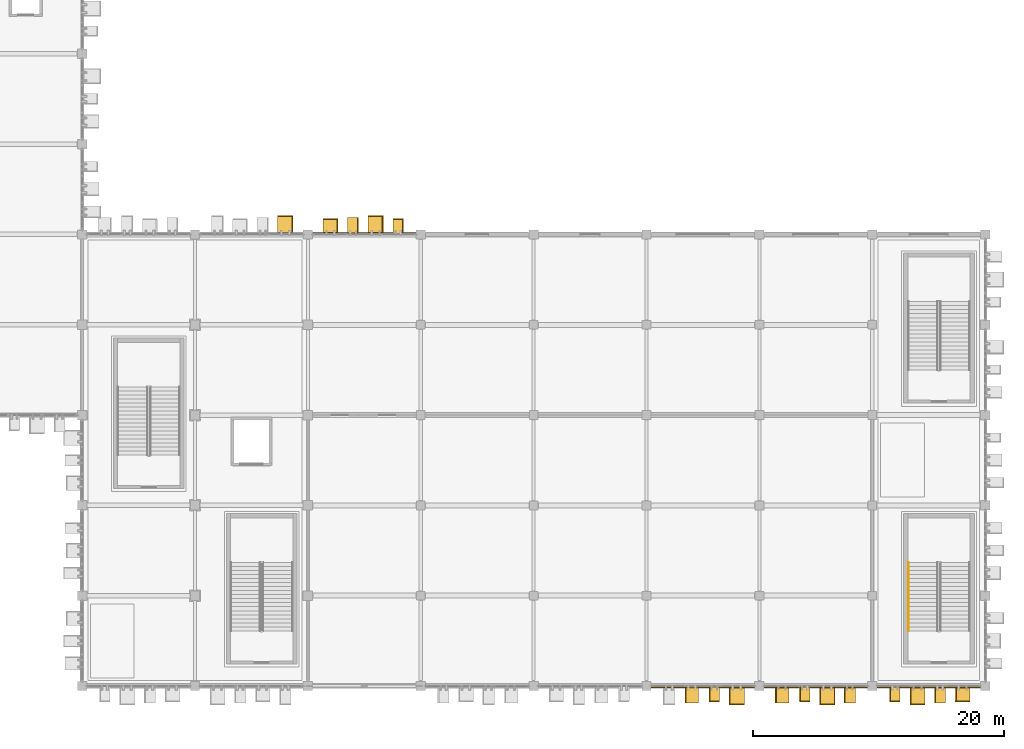
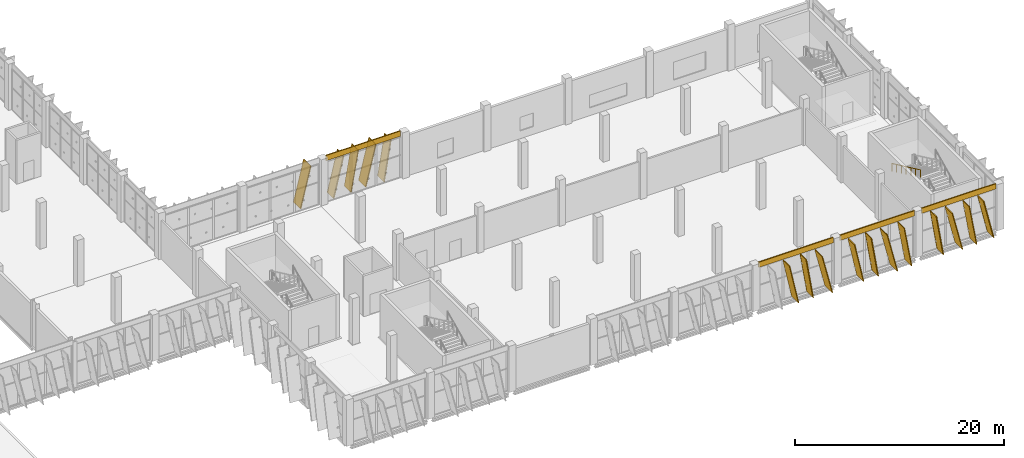
# One storey, part 170 of 189: 20 coverings, 16 shading devices, 1 railing.
"""IFC4 building model written with IfcOpenShell, lengths in metres."""

from ifc_helpers import new_model, si_unit, direction, frame, origin, origin_2d, place, context, subcontext, project, spatial, rectangle, circle, extrude, material, layer, layer_set, material_profile, profile_set, type_object, element, save


model = new_model("IFC4")

# Units and contexts
model_context = context("Model", 3, precision=1e-05, world=origin(), true_north=direction((0.0, 1.0)))
body_context = subcontext(model_context, "Body", "Model", "MODEL_VIEW")
ifc_project = project(units=[si_unit("LENGTHUNIT", "METRE"), si_unit("AREAUNIT", "SQUARE_METRE"), si_unit("VOLUMEUNIT", "CUBIC_METRE"), si_unit("PLANEANGLEUNIT", "RADIAN"), si_unit("MASSUNIT", "GRAM", prefix="KILO")], contexts=[model_context])

# Site, building, storey
site_placement = place(None, origin())
site = spatial("IfcSite", under=ifc_project, at=site_placement, CompositionType="ELEMENT")
building_placement = place(site_placement, origin())
building = spatial("IfcBuilding", under=site, at=building_placement, Name="Celestram Park Convention Centre", CompositionType="ELEMENT")
storey_placement = place(building_placement, frame((0.0, 0.0, 5.39990234375)))
storey = spatial("IfcBuildingStorey", under=building, at=storey_placement, Name="L01", CompositionType="ELEMENT", Elevation=5.39990234375)

# Coverings
ifc_material_1 = material(Name="Anodised Bronze Aluminium Spandrel Cladding", Category="aluminium")
ifc_layer_1 = layer(ifc_material_1, 0.050048828125)
ifc_layer_set_1 = layer_set([ifc_layer_1], Name="Anodised Bronze Aluminium Spandrel Cladding")
covering_type_1 = type_object("IfcCoveringType", Name="ARC-COV-CLD060", PredefinedType="CLADDING", material=ifc_layer_set_1)
for number, where, z_axis, x_axis, name in (
    (1, (166.5, 36.080078125, 4.7841796875), (0.0, 0.0, 1.0), (1.0, 0.0, 0.0), "Bronze spandrel cladding CL-L01-100"),
    (2, (211.5, -0.080078125, 4.7841796875), (0.0, 0.0, 1.0), (-1.0, 0.0, 0.0), "Bronze spandrel cladding CL-L01-106"),
    (3, (202.5, -0.080078125, 4.7841796875), (0.0, 0.0, 1.0), (-1.0, 0.0, 0.0), "Bronze spandrel cladding CL-L01-107"),
    (4, (193.5, -0.080078125, 4.7841796875), (0.0, 0.0, 1.0), (-1.0, 0.0, 0.0), "Bronze spandrel cladding CL-L01-108"),
):
    element("IfcCovering", number, at=place(storey_placement, frame(where, z_axis=z_axis, x_axis=x_axis)), inside=storey, type_object=covering_type_1, Name=name, PredefinedType="CLADDING", context=body_context, shape_type="SweptSolid", body=[
        extrude(rectangle(XDim=8.25390625, YDim=0.1201171875, at=origin_2d()), origin(), (0.0, 0.0, 1.0), 0.615966796875),
    ])
ifc_material_2 = material(Name="Timber-Toned Anodised Aluminium Alloy 6063-T6", Category="wood")
ifc_material_profile_1 = material_profile(ifc_material_2, rectangle(XDim=1.1201171875, YDim=0.090087890625, at=origin_2d()), Name="REED1120X90")
ifc_profile_set_1 = profile_set([ifc_material_profile_1], Name="Timber-Toned Anodised Aluminium Alloy 6063-T6")
covering_type_2 = type_object("IfcCoveringType", Name="ARC-COV-FIN1120", PredefinedType="CLADDING", material=ifc_profile_set_1)
for number, where, z_axis, x_axis, name in (
    (5, (163.2490234375, 36.639892578125, 0.06982421875), (0.231766325176, 0.0, 0.972771489361), (0.0, 1.0, 0.0), "Leaning timber-toned reed fin RFN-L01-0301"),
    (6, (168.820068359375, 36.639892578125, 0.03564453125), (0.159866942828, 0.0, 0.987138572132), (0.0, 1.0, 0.0), "Leaning timber-toned reed fin RFN-L01-0304"),
    (7, (214.7509765625, -0.639892578125, 0.06982421875), (-0.231766325176, 0.0, 0.972771489361), (0.0, -1.0, 0.0), "Leaning timber-toned reed fin RFN-L01-0320"),
    (8, (209.179931640625, -0.639892578125, 0.03564453125), (-0.159866942828, 0.0, 0.987138572132), (0.0, -1.0, 0.0), "Leaning timber-toned reed fin RFN-L01-0323"),
    (9, (201.97998046875, -0.639892578125, 0.03564453125), (-0.159866942828, 0.0, 0.987138572132), (0.0, -1.0, 0.0), "Leaning timber-toned reed fin RFN-L01-0326"),
    (10, (194.780029296875, -0.639892578125, 0.03564453125), (-0.159866942828, 0.0, 0.987138572132), (0.0, -1.0, 0.0), "Leaning timber-toned reed fin RFN-L01-0329"),
):
    element("IfcCovering", number, at=place(storey_placement, frame(where, z_axis=z_axis, x_axis=x_axis)), inside=storey, type_object=covering_type_2, Name=name, PredefinedType="CLADDING", context=body_context, shape_type="SweptSolid", body=[
        extrude(rectangle(XDim=1.1201171875, YDim=0.090087890625, at=origin_2d()), origin(), (0.0, 0.0, 1.0), 4.75390625),
    ])
ifc_material_profile_2 = material_profile(ifc_material_2, rectangle(XDim=1.280029296875, YDim=0.090087890625, at=origin_2d()), Name="REED1280X90")
ifc_profile_set_2 = profile_set([ifc_material_profile_2], Name="Timber-Toned Anodised Aluminium Alloy 6063-T6")
covering_type_3 = type_object("IfcCoveringType", Name="ARC-COV-FIN1280", PredefinedType="CLADDING", material=ifc_profile_set_2)
for number, where, z_axis, x_axis, name in (
    (11, (165.1953125, 36.719970703125, 0.039794921875), (0.170242256857, 0.0, 0.985402239687), (0.0, 1.0, 0.0), "Leaning timber-toned reed fin RFN-L01-0302"),
    (12, (212.8046875, -0.719970703125, 0.039794921875), (-0.170242256857, 0.0, 0.985402239687), (0.0, -1.0, 0.0), "Leaning timber-toned reed fin RFN-L01-0321"),
    (13, (205.6044921875, -0.719970703125, 0.039794921875), (-0.170192389469, 0.0, 0.985410853688), (0.0, -1.0, 0.0), "Leaning timber-toned reed fin RFN-L01-0324"),
):
    element("IfcCovering", number, at=place(storey_placement, frame(where, z_axis=z_axis, x_axis=x_axis)), inside=storey, type_object=covering_type_3, Name=name, PredefinedType="CLADDING", context=body_context, shape_type="SweptSolid", body=[
        extrude(rectangle(XDim=1.280029296875, YDim=0.090087890625, at=origin_2d()), origin(), (0.0, 0.0, 1.0), 4.75390625),
    ])
for number, where, z_axis, x_axis, name in (
    (14, (200.29833984375, -0.719970703125, 0.057861328125), (-0.209627286664, 0.0, 0.977781366506), (0.0, -1.0, 0.0), "Leaning timber-toned reed fin RFN-L01-0327"),
    (15, (193.098388671875, -0.719970703125, 0.057861328125), (-0.209627286664, 0.0, 0.977781366506), (0.0, -1.0, 0.0), "Leaning timber-toned reed fin RFN-L01-0330"),
):
    element("IfcCovering", number, at=place(storey_placement, frame(where, z_axis=z_axis, x_axis=x_axis)), inside=storey, type_object=covering_type_3, Name=name, PredefinedType="CLADDING", context=body_context, shape_type="SweptSolid", body=[
        extrude(rectangle(XDim=1.280029296875, YDim=0.090087890625, at=origin_2d()), origin(), (0.0, 0.0, 1.0), 4.754150390625),
    ])
ifc_material_profile_3 = material_profile(ifc_material_2, rectangle(XDim=1.419921875, YDim=0.090087890625, at=origin_2d()), Name="REED1420X90")
ifc_profile_set_3 = profile_set([ifc_material_profile_3], Name="Timber-Toned Anodised Aluminium Alloy 6063-T6")
covering_type_4 = type_object("IfcCoveringType", Name="ARC-COV-FIN1420", PredefinedType="CLADDING", material=ifc_profile_set_3)
for number, where, z_axis, x_axis, name in (
    (16, (159.633056640625, 36.7900390625, 0.07373046875), (0.238545978049, 0.0, 0.971131204502), (0.0, 1.0, 0.0), "Leaning timber-toned reed fin RFN-L01-0300"),
    (17, (166.8330078125, 36.7900390625, 0.07373046875), (0.238545978049, 0.0, 0.971131204502), (0.0, 1.0, 0.0), "Leaning timber-toned reed fin RFN-L01-0303"),
    (18, (211.1669921875, -0.7900390625, 0.07373046875), (-0.238545978049, 0.0, 0.971131204502), (0.0, -1.0, 0.0), "Leaning timber-toned reed fin RFN-L01-0322"),
    (19, (203.967041015625, -0.7900390625, 0.07373046875), (-0.238545978049, 0.0, 0.971131204502), (0.0, -1.0, 0.0), "Leaning timber-toned reed fin RFN-L01-0325"),
    (20, (196.76708984375, -0.7900390625, 0.07373046875), (-0.238545978049, 0.0, 0.971131204502), (0.0, -1.0, 0.0), "Leaning timber-toned reed fin RFN-L01-0328"),
):
    element("IfcCovering", number, at=place(storey_placement, frame(where, z_axis=z_axis, x_axis=x_axis)), inside=storey, type_object=covering_type_4, Name=name, PredefinedType="CLADDING", context=body_context, shape_type="SweptSolid", body=[
        extrude(rectangle(XDim=1.419921875, YDim=0.090087890625, at=origin_2d()), origin(), (0.0, 0.0, 1.0), 4.75390625),
    ])

# Shading devices
ifc_material_3 = material(Name="Anodised Bronze Aluminium Alloy 6063-T6", Category="aluminium")
ifc_material_profile_4 = material_profile(ifc_material_3, rectangle(XDim=1.280029296875, YDim=0.080078125, at=origin_2d()), Name="FIN1280X80")
ifc_profile_set_4 = profile_set([ifc_material_profile_4], Name="Anodised Bronze Aluminium Alloy 6063-T6")
shading_device_type = type_object("IfcShadingDeviceType", Name="ARC-FIN-BZ1280", PredefinedType="USERDEFINED", material=ifc_profile_set_4)
for number, where, z_axis, x_axis, name in (
    (21, (159.633056640625, 36.7900390625, 0.07373046875), (0.238545978049, 0.0, 0.971131204502), (0.0, 1.0, 0.0), "Expressive solar fin FN-L01-0300"),
    (22, (163.2490234375, 36.639892578125, 0.06982421875), (0.231766325176, 0.0, 0.972771489361), (0.0, 1.0, 0.0), "Expressive solar fin FN-L01-0301"),
    (23, (165.1953125, 36.719970703125, 0.039794921875), (0.170242256857, 0.0, 0.985402239687), (0.0, 1.0, 0.0), "Expressive solar fin FN-L01-0302"),
    (24, (166.8330078125, 36.7900390625, 0.07373046875), (0.238545978049, 0.0, 0.971131204502), (0.0, 1.0, 0.0), "Expressive solar fin FN-L01-0303"),
    (25, (168.820068359375, 36.639892578125, 0.03564453125), (0.159866942828, 0.0, 0.987138572132), (0.0, 1.0, 0.0), "Expressive solar fin FN-L01-0304"),
    (26, (214.7509765625, -0.639892578125, 0.06982421875), (-0.231766325176, 0.0, 0.972771489361), (0.0, -1.0, 0.0), "Expressive solar fin FN-L01-0320"),
    (27, (212.8046875, -0.719970703125, 0.039794921875), (-0.170242256857, 0.0, 0.985402239687), (0.0, -1.0, 0.0), "Expressive solar fin FN-L01-0321"),
    (28, (211.1669921875, -0.7900390625, 0.07373046875), (-0.238545978049, 0.0, 0.971131204502), (0.0, -1.0, 0.0), "Expressive solar fin FN-L01-0322"),
    (29, (209.179931640625, -0.639892578125, 0.03564453125), (-0.159866942828, 0.0, 0.987138572132), (0.0, -1.0, 0.0), "Expressive solar fin FN-L01-0323"),
    (30, (205.6044921875, -0.719970703125, 0.039794921875), (-0.170192389469, 0.0, 0.985410853688), (0.0, -1.0, 0.0), "Expressive solar fin FN-L01-0324"),
    (31, (203.967041015625, -0.7900390625, 0.07373046875), (-0.238545978049, 0.0, 0.971131204502), (0.0, -1.0, 0.0), "Expressive solar fin FN-L01-0325"),
    (32, (201.97998046875, -0.639892578125, 0.03564453125), (-0.159866942828, 0.0, 0.987138572132), (0.0, -1.0, 0.0), "Expressive solar fin FN-L01-0326"),
):
    element("IfcShadingDevice", number, at=place(storey_placement, frame(where, z_axis=z_axis, x_axis=x_axis)), inside=storey, type_object=shading_device_type, Name=name, ObjectType="SOLAR_FIN", PredefinedType="USERDEFINED", context=body_context, shape_type="SweptSolid", body=[
        extrude(rectangle(XDim=1.280029296875, YDim=0.080078125, at=origin_2d()), origin(), (0.0, 0.0, 1.0), 4.75390625),
    ])
shading_device_1_placement = place(storey_placement, frame((200.29833984375, -0.719970703125, 0.057861328125), z_axis=(-0.209627286664, 0.0, 0.977781366506), x_axis=(0.0, -1.0, 0.0)))
element("IfcShadingDevice", 33, at=shading_device_1_placement, inside=storey, type_object=shading_device_type, Name="Expressive solar fin FN-L01-0327", ObjectType="SOLAR_FIN", PredefinedType="USERDEFINED", context=body_context, shape_type="SweptSolid", body=[
    extrude(rectangle(XDim=1.280029296875, YDim=0.080078125, at=origin_2d()), origin(), (0.0, 0.0, 1.0), 4.754150390625),
])
for number, where, z_axis, x_axis, name in (
    (34, (196.76708984375, -0.7900390625, 0.07373046875), (-0.238545978049, 0.0, 0.971131204502), (0.0, -1.0, 0.0), "Expressive solar fin FN-L01-0328"),
    (35, (194.780029296875, -0.639892578125, 0.03564453125), (-0.159866942828, 0.0, 0.987138572132), (0.0, -1.0, 0.0), "Expressive solar fin FN-L01-0329"),
):
    element("IfcShadingDevice", number, at=place(storey_placement, frame(where, z_axis=z_axis, x_axis=x_axis)), inside=storey, type_object=shading_device_type, Name=name, ObjectType="SOLAR_FIN", PredefinedType="USERDEFINED", context=body_context, shape_type="SweptSolid", body=[
        extrude(rectangle(XDim=1.280029296875, YDim=0.080078125, at=origin_2d()), origin(), (0.0, 0.0, 1.0), 4.75390625),
    ])
shading_device_2_placement = place(storey_placement, frame((193.098388671875, -0.719970703125, 0.057861328125), z_axis=(-0.209627286664, 0.0, 0.977781366506), x_axis=(0.0, -1.0, 0.0)))
element("IfcShadingDevice", 36, at=shading_device_2_placement, inside=storey, type_object=shading_device_type, Name="Expressive solar fin FN-L01-0330", ObjectType="SOLAR_FIN", PredefinedType="USERDEFINED", context=body_context, shape_type="SweptSolid", body=[
    extrude(rectangle(XDim=1.280029296875, YDim=0.080078125, at=origin_2d()), origin(), (0.0, 0.0, 1.0), 4.754150390625),
])

# Railing
ifc_material_4 = material(Name="Brushed Stainless Steel AISI 304", Category="steel")
ifc_layer_2 = layer(ifc_material_4, 0.048095703125)
ifc_layer_set_2 = layer_set([ifc_layer_2], Name="Brushed Stainless Steel AISI 304")
railing_type = type_object("IfcRailingType", Name="ARC-RL-HND915", PredefinedType="HANDRAIL", material=ifc_layer_set_2)
railing_placement = place(storey_placement, frame((209.8759765625, 9.840087890625, 2.85009765625)))
element("IfcRailing", 37, at=railing_placement, inside=storey, type_object=railing_type, Name="L01 ST-11 stair handrail 2", PredefinedType="HANDRAIL", context=body_context, shape_type="SweptSolid", body=[
    extrude(circle(Radius=0.02392578125, at=origin_2d()), frame((0.0, 0.0, 0.8759765625), z_axis=(0.0, -0.905461375974, 0.424428670827), x_axis=(1.0, 0.0, 0.0)), (0.0, 0.0, 1.0), 6.00830078125),
    extrude(circle(Radius=0.02099609375, at=origin_2d()), origin(), (0.0, 0.0, 1.0), 0.851806640625),
    extrude(circle(Radius=0.02099609375, at=origin_2d()), frame((0.0, -0.90673828125, 0.425048828125)), (0.0, 0.0, 1.0), 0.851806640625),
    extrude(circle(Radius=0.02099609375, at=origin_2d()), frame((0.0, -1.8134765625, 0.85009765625)), (0.0, 0.0, 1.0), 0.851806640625),
    extrude(circle(Radius=0.02099609375, at=origin_2d()), frame((0.0, -2.72021484375, 1.27490234375)), (0.0, 0.0, 1.0), 0.851806640625),
    extrude(circle(Radius=0.02099609375, at=origin_2d()), frame((0.0, -3.626708984375, 1.699951171875)), (0.0, 0.0, 1.0), 0.851806640625),
    extrude(circle(Radius=0.02099609375, at=origin_2d()), frame((0.0, -4.533447265625, 2.125)), (0.0, 0.0, 1.0), 0.851806640625),
    extrude(circle(Radius=0.02099609375, at=origin_2d()), frame((0.0, -5.440185546875, 2.550048828125)), (0.0, 0.0, 1.0), 0.851806640625),
])

save(model, "model.ifc")
